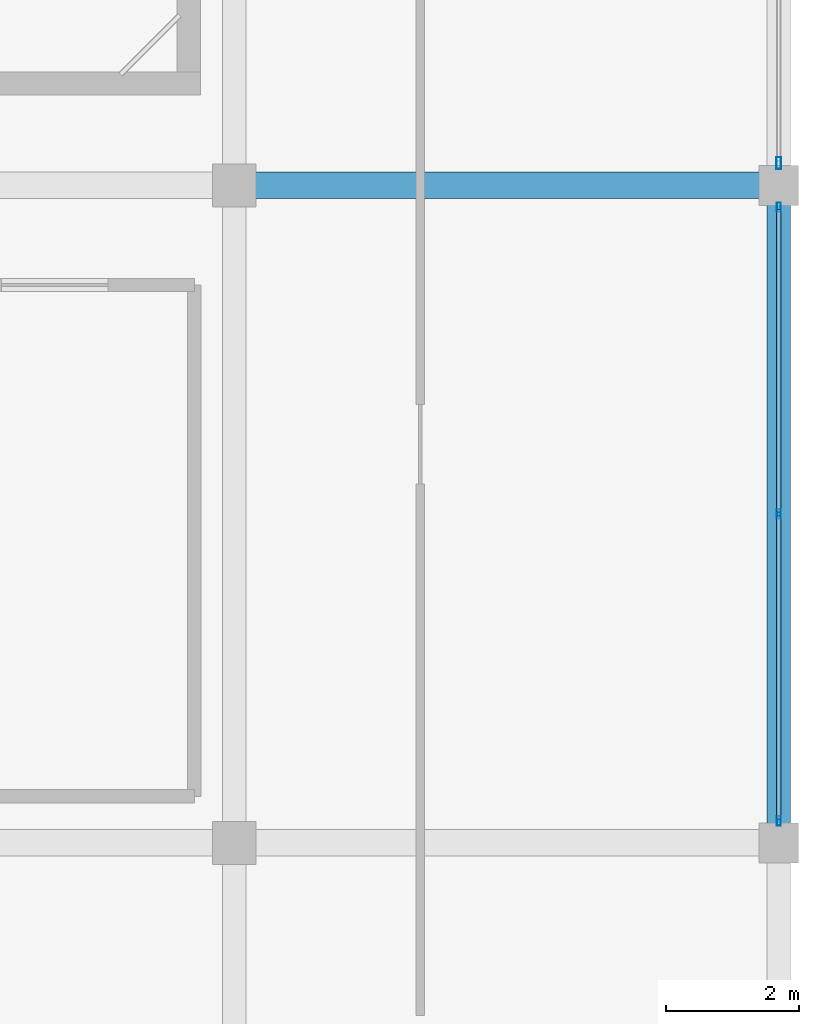
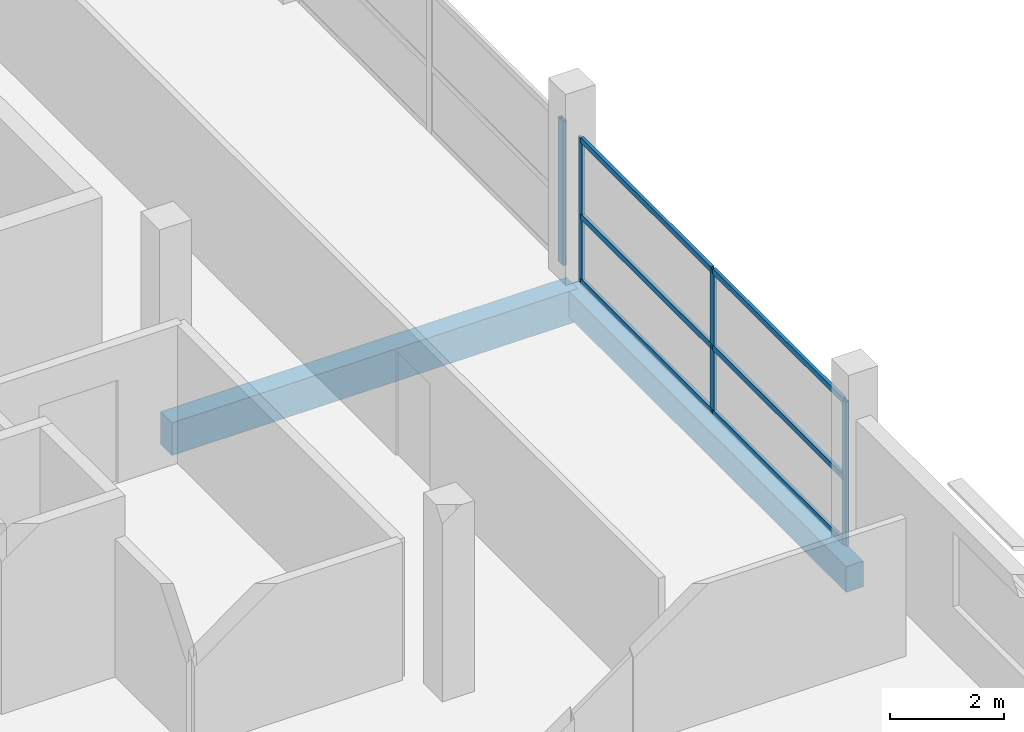
# One storey, part 21 of 70: 10 members, 2 beams, 2 elements without a shape of their own.
"""IFC4 building model written with IfcOpenShell, lengths in metres."""

from ifc_helpers import new_model, si_unit, direction, frame, origin, origin_2d, place, context, subcontext, project, spatial, rectangle, hollow_rectangle, extrude, material, layer, layer_set, material_profile, profile_set, type_object, element, aggregate, save


model = new_model("IFC4")

# Units and contexts
model_context = context("Model", 3, precision=1e-05, world=origin(), true_north=direction((0.0, 1.0)))
body_context = subcontext(model_context, "Body", "Model", "MODEL_VIEW")
ifc_project = project(units=[si_unit("LENGTHUNIT", "METRE"), si_unit("AREAUNIT", "SQUARE_METRE"), si_unit("VOLUMEUNIT", "CUBIC_METRE"), si_unit("PLANEANGLEUNIT", "RADIAN"), si_unit("MASSUNIT", "GRAM", prefix="KILO")], contexts=[model_context])

# Site, building, storey
site_placement = place(None, origin())
site = spatial("IfcSite", under=ifc_project, at=site_placement, CompositionType="ELEMENT")
building_placement = place(site_placement, origin())
building = spatial("IfcBuilding", under=site, at=building_placement, Name="Sillaruma Civic Art Gallery", CompositionType="ELEMENT")
storey_placement = place(building_placement, frame((0.0, 0.0, 66.300048828125)))
storey = spatial("IfcBuildingStorey", under=building, at=storey_placement, Name="L13", CompositionType="ELEMENT", Elevation=66.300048828125)

# Beams
ifc_material_1 = material(Name="Concrete H35 (35 MPa)", Category="concrete")
ifc_material_profile_1 = material_profile(ifc_material_1, rectangle(XDim=0.39990234375, YDim=0.699951171875, at=origin_2d()), Name="RCB400x700")
ifc_profile_set_1 = profile_set([ifc_material_profile_1], Name="Concrete H35 (35 MPa)")
beam_type_1 = type_object("IfcBeamType", Name="BM-BEAM-RCB400x700", PredefinedType="BEAM", material=ifc_profile_set_1)
beam_1_placement = place(storey_placement, frame((106.199951171875, 49.5, -0.580078125), z_axis=(1.0, 0.0, 0.0), x_axis=(0.0, 1.0, 0.0)))
element("IfcBeam", 1, at=beam_1_placement, inside=storey, type_object=beam_type_1, Name="Beam BM-04 (L12:6:M-N)", PredefinedType="BEAM", context=body_context, shape_type="SweptSolid", body=[
    extrude(rectangle(XDim=0.39990234375, YDim=0.699951171875, at=origin_2d()), origin(), (0.0, 0.0, 1.0), 8.199951171875),
])
ifc_material_profile_2 = material_profile(ifc_material_1, rectangle(XDim=0.35009765625, YDim=0.550048828125, at=origin_2d()), Name="RCB350x550")
ifc_profile_set_2 = profile_set([ifc_material_profile_2], Name="Concrete H35 (35 MPa)")
beam_type_2 = type_object("IfcBeamType", Name="BM-SPANDREL-RCB350x550", PredefinedType="SPANDREL", material=ifc_profile_set_2)
beam_2_placement = place(storey_placement, frame((114.39990234375, 39.60009765625, -0.505126953125), z_axis=(0.0, 1.0, 0.0), x_axis=(-1.0, 0.0, 0.0)))
element("IfcBeam", 2, at=beam_2_placement, inside=storey, type_object=beam_type_2, Name="Beam BS-04 (L12:N:5-6)", PredefinedType="SPANDREL", context=body_context, shape_type="SweptSolid", body=[
    extrude(rectangle(XDim=0.35009765625, YDim=0.550048828125, at=origin_2d()), origin(), (0.0, 0.0, 1.0), 9.89990234375),
])

# Curtain wall, members
ifc_material_2 = material(Name="Thermally Broken Extruded Aluminium 6063-T6", Category="aluminium")
ifc_layer_1 = layer(ifc_material_2, 0.139892578125, Name="Thermally Broken Extruded Aluminium 6063-T6")
ifc_layer_set_1 = layer_set([ifc_layer_1], Name="Thermally Broken Extruded Aluminium 6063-T6")
curtain_wall_type_1 = type_object("IfcCurtainWallType", Name="CW-UNI-99", PredefinedType="NOTDEFINED", material=ifc_layer_set_1)
curtain_wall_1_placement = place(storey_placement, origin())
curtain_wall_1 = element("IfcCurtainWall", 3, at=curtain_wall_1_placement, inside=storey, type_object=curtain_wall_type_1, Name="Unitised Curtain Wall CW-99 (CW-L13-EBE-3)", PredefinedType="NOTDEFINED")
ifc_material_profile_3 = material_profile(ifc_material_2, hollow_rectangle(XDim=0.06005859375, YDim=0.139892578125, WallThickness=0.00341796875, at=origin_2d()), Name="CWM60x140")
ifc_profile_set_3 = profile_set([ifc_material_profile_3], Name="Thermally Broken Extruded Aluminium 6063-T6")
member_type_1 = type_object("IfcMemberType", Name="MEM-MUL-CWM60x140", PredefinedType="MULLION", material=ifc_profile_set_3)
member_1_placement = place(storey_placement, frame((114.39990234375, 39.929931640625, 0.0), z_axis=(0.0, 0.0, 1.0), x_axis=(-1.0, 0.0, 0.0)))
member_1 = element("IfcMember", 4, at=member_1_placement, type_object=member_type_1, Name="CW-99 mullion 1", PredefinedType="MULLION", context=body_context, shape_type="SweptSolid", body=[
    extrude(hollow_rectangle(XDim=0.06005859375, YDim=0.139892578125, WallThickness=0.00341796875, at=origin_2d()), origin(), (0.0, 0.0, 1.0), 3.079833984375),
])
member_2_placement = place(storey_placement, frame((114.39990234375, 44.550048828125, 0.0), z_axis=(0.0, 0.0, 1.0), x_axis=(-1.0, 0.0, 0.0)))
member_2 = element("IfcMember", 5, at=member_2_placement, type_object=member_type_1, Name="CW-99 mullion 2", PredefinedType="MULLION", context=body_context, shape_type="SweptSolid", body=[
    extrude(hollow_rectangle(XDim=0.06005859375, YDim=0.139892578125, WallThickness=0.00341796875, at=origin_2d()), origin(), (0.0, 0.0, 1.0), 3.079833984375),
])
member_3_placement = place(storey_placement, frame((114.39990234375, 49.169921875, 0.0), z_axis=(0.0, 0.0, 1.0), x_axis=(-1.0, 0.0, 0.0)))
member_3 = element("IfcMember", 6, at=member_3_placement, type_object=member_type_1, Name="CW-99 mullion 3", PredefinedType="MULLION", context=body_context, shape_type="SweptSolid", body=[
    extrude(hollow_rectangle(XDim=0.06005859375, YDim=0.139892578125, WallThickness=0.00341796875, at=origin_2d()), origin(), (0.0, 0.0, 1.0), 3.079833984375),
])

# Curtain wall, member
ifc_layer_2 = layer(ifc_material_2, 0.179931640625, Name="Thermally Broken Extruded Aluminium 6063-T6")
ifc_layer_set_2 = layer_set([ifc_layer_2], Name="Thermally Broken Extruded Aluminium 6063-T6")
curtain_wall_type_2 = type_object("IfcCurtainWallType", Name="CW-UNI-101", PredefinedType="NOTDEFINED", material=ifc_layer_set_2)
curtain_wall_2_placement = place(storey_placement, origin())
curtain_wall_2 = element("IfcCurtainWall", 7, at=curtain_wall_2_placement, inside=storey, type_object=curtain_wall_type_2, Name="Unitised Curtain Wall CW-101 (CW-L13-EBE-4)", PredefinedType="NOTDEFINED")
ifc_material_profile_4 = material_profile(ifc_material_2, hollow_rectangle(XDim=0.070068359375, YDim=0.179931640625, WallThickness=0.00390625, at=origin_2d()), Name="CWM70x180")
ifc_profile_set_4 = profile_set([ifc_material_profile_4], Name="Thermally Broken Extruded Aluminium 6063-T6")
member_type_2 = type_object("IfcMemberType", Name="MEM-MUL-CWM70x180", PredefinedType="MULLION", material=ifc_profile_set_4)
member_4_placement = place(storey_placement, frame((114.39990234375, 49.8349609375, 0.0), z_axis=(0.0, 0.0, 1.0), x_axis=(-1.0, 0.0, 0.0)))
member_4 = element("IfcMember", 8, at=member_4_placement, type_object=member_type_2, Name="CW-101 mullion 1", PredefinedType="MULLION", context=body_context, shape_type="SweptSolid", body=[
    extrude(hollow_rectangle(XDim=0.070068359375, YDim=0.179931640625, WallThickness=0.00390625, at=origin_2d()), origin(), (0.0, 0.0, 1.0), 3.079833984375),
])
aggregate(curtain_wall_2, [member_4])

# Member
ifc_material_profile_5 = material_profile(ifc_material_2, hollow_rectangle(XDim=0.06494140625, YDim=0.1201171875, WallThickness=0.00341796875, at=origin_2d()), Name="CWT65x120")
ifc_profile_set_5 = profile_set([ifc_material_profile_5], Name="Thermally Broken Extruded Aluminium 6063-T6")
member_type_3 = type_object("IfcMemberType", Name="MEM-TRN-CWT65x120", PredefinedType="USERDEFINED", material=ifc_profile_set_5)
member_5_placement = place(storey_placement, frame((114.39990234375, 39.9599609375, 0.032470703125), z_axis=(0.0, 1.0, 0.0), x_axis=(-1.0, 0.0, 0.0)))
member_5 = element("IfcMember", 9, at=member_5_placement, type_object=member_type_3, Name="CW-99 transom 1.1", ObjectType="TRANSOM", PredefinedType="USERDEFINED", context=body_context, shape_type="SweptSolid", body=[
    extrude(hollow_rectangle(XDim=0.06494140625, YDim=0.1201171875, WallThickness=0.00341796875, at=origin_2d()), origin(), (0.0, 0.0, 1.0), 4.56005859375),
])

member_6_placement = place(storey_placement, frame((114.39990234375, 39.9599609375, 1.416748046875), z_axis=(0.0, 1.0, 0.0), x_axis=(-1.0, 0.0, 0.0)))
member_6 = element("IfcMember", 10, at=member_6_placement, type_object=member_type_3, Name="CW-99 transom 1.2", ObjectType="TRANSOM", PredefinedType="USERDEFINED", context=body_context, shape_type="SweptSolid", body=[
    extrude(hollow_rectangle(XDim=0.06494140625, YDim=0.1201171875, WallThickness=0.00341796875, at=origin_2d()), origin(), (0.0, 0.0, 1.0), 4.56005859375),
])

member_7_placement = place(storey_placement, frame((114.39990234375, 39.9599609375, 3.04736328125), z_axis=(0.0, 1.0, 0.0), x_axis=(-1.0, 0.0, 0.0)))
member_7 = element("IfcMember", 11, at=member_7_placement, type_object=member_type_3, Name="CW-99 transom 1.3", ObjectType="TRANSOM", PredefinedType="USERDEFINED", context=body_context, shape_type="SweptSolid", body=[
    extrude(hollow_rectangle(XDim=0.06494140625, YDim=0.1201171875, WallThickness=0.00341796875, at=origin_2d()), origin(), (0.0, 0.0, 1.0), 4.56005859375),
])

member_8_placement = place(storey_placement, frame((114.39990234375, 44.580078125, 0.032470703125), z_axis=(0.0, 1.0, 0.0), x_axis=(-1.0, 0.0, 0.0)))
member_8 = element("IfcMember", 12, at=member_8_placement, type_object=member_type_3, Name="CW-99 transom 2.1", ObjectType="TRANSOM", PredefinedType="USERDEFINED", context=body_context, shape_type="SweptSolid", body=[
    extrude(hollow_rectangle(XDim=0.06494140625, YDim=0.1201171875, WallThickness=0.00341796875, at=origin_2d()), origin(), (0.0, 0.0, 1.0), 4.559814453125),
])

member_9_placement = place(storey_placement, frame((114.39990234375, 44.580078125, 1.416748046875), z_axis=(0.0, 1.0, 0.0), x_axis=(-1.0, 0.0, 0.0)))
member_9 = element("IfcMember", 13, at=member_9_placement, type_object=member_type_3, Name="CW-99 transom 2.2", ObjectType="TRANSOM", PredefinedType="USERDEFINED", context=body_context, shape_type="SweptSolid", body=[
    extrude(hollow_rectangle(XDim=0.06494140625, YDim=0.1201171875, WallThickness=0.00341796875, at=origin_2d()), origin(), (0.0, 0.0, 1.0), 4.559814453125),
])

member_10_placement = place(storey_placement, frame((114.39990234375, 44.580078125, 3.04736328125), z_axis=(0.0, 1.0, 0.0), x_axis=(-1.0, 0.0, 0.0)))
member_10 = element("IfcMember", 14, at=member_10_placement, type_object=member_type_3, Name="CW-99 transom 2.3", ObjectType="TRANSOM", PredefinedType="USERDEFINED", context=body_context, shape_type="SweptSolid", body=[
    extrude(hollow_rectangle(XDim=0.06494140625, YDim=0.1201171875, WallThickness=0.00341796875, at=origin_2d()), origin(), (0.0, 0.0, 1.0), 4.559814453125),
])

aggregate(curtain_wall_1, [member_1, member_2, member_3, member_5, member_6, member_7, member_8, member_9, member_10])

save(model, "model.ifc")
